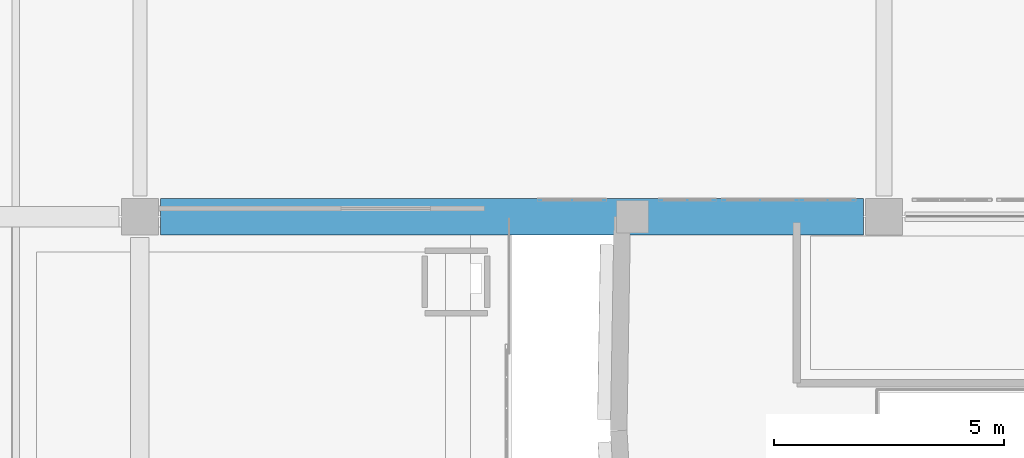
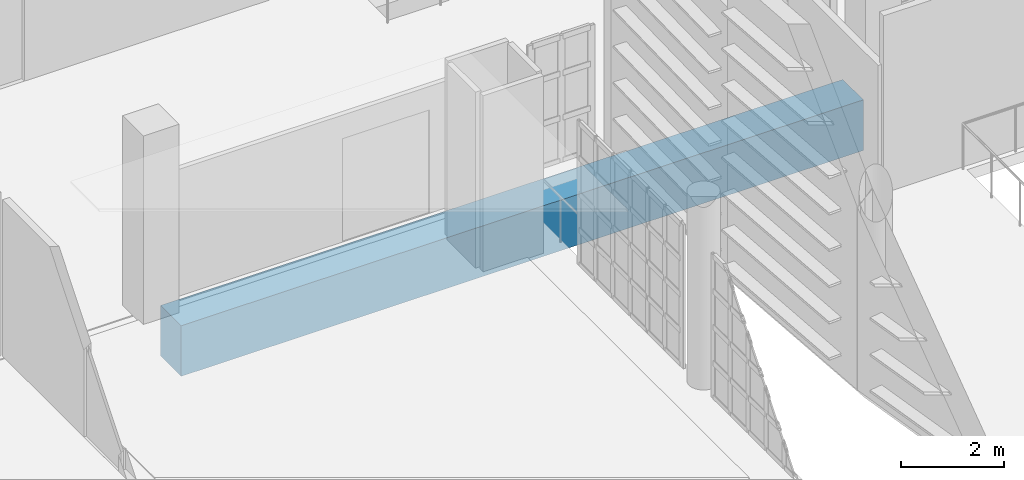
# One storey, part 15 of 73: 1 beam.
"""IFC4 building model written with IfcOpenShell, lengths in metres."""

from ifc_helpers import new_model, si_unit, direction, frame, origin, origin_2d, place, context, subcontext, project, spatial, rectangle, extrude, material, material_profile, profile_set, type_object, element, save


model = new_model("IFC4")

# Units and contexts
model_context = context("Model", 3, precision=1e-05, world=origin(), true_north=direction((0.0, 1.0)))
body_context = subcontext(model_context, "Body", "Model", "MODEL_VIEW")
ifc_project = project(units=[si_unit("LENGTHUNIT", "METRE"), si_unit("AREAUNIT", "SQUARE_METRE"), si_unit("VOLUMEUNIT", "CUBIC_METRE"), si_unit("PLANEANGLEUNIT", "RADIAN"), si_unit("MASSUNIT", "GRAM", prefix="KILO")], contexts=[model_context])

# Site, building, storey
site_placement = place(None, origin())
site = spatial("IfcSite", under=ifc_project, at=site_placement, CompositionType="ELEMENT")
building_placement = place(site_placement, origin())
building = spatial("IfcBuilding", under=site, at=building_placement, Name="Kaelora Sail Theatre", CompositionType="ELEMENT")
storey_placement = place(building_placement, frame((0.0, 0.0, 10.199951171875)))
storey = spatial("IfcBuildingStorey", under=building, at=storey_placement, Name="L02", CompositionType="ELEMENT", Elevation=10.199951171875)

# Beam
ifc_material = material(Name="Concrete C50/60", Category="concrete")
ifc_material_profile = material_profile(ifc_material, rectangle(XDim=0.800048828125, YDim=1.199951171875, at=origin_2d()), Name="RC-SRB 800x1200")
ifc_profile_set = profile_set([ifc_material_profile], Name="Concrete C50/60")
beam_type = type_object("IfcBeamType", Name="STR-BM-SRB-8012", PredefinedType="T_BEAM", material=ifc_profile_set)
beam_placement = place(storey_placement, frame((66.75, 61.02001953125, -0.89501953125), z_axis=(1.0, 0.0, 0.0), x_axis=(0.0, 1.0, 0.0)))
element("IfcBeam", 1, at=beam_placement, inside=storey, type_object=beam_type, Name="Grand Foyer clear-span girder L02-I", PredefinedType="T_BEAM", context=body_context, shape_type="SweptSolid", body=[
    extrude(rectangle(XDim=0.800048828125, YDim=1.199951171875, at=origin_2d()), origin(), (0.0, 0.0, 1.0), 15.300048828125),
])

save(model, "model.ifc")
